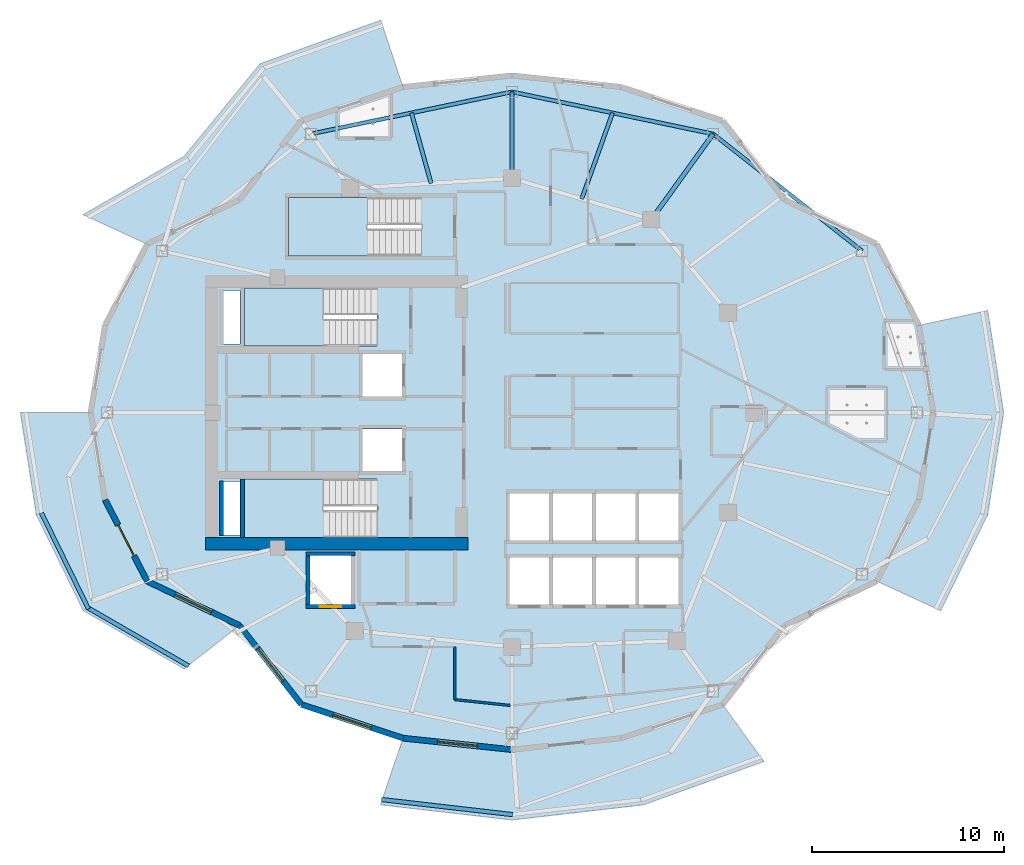
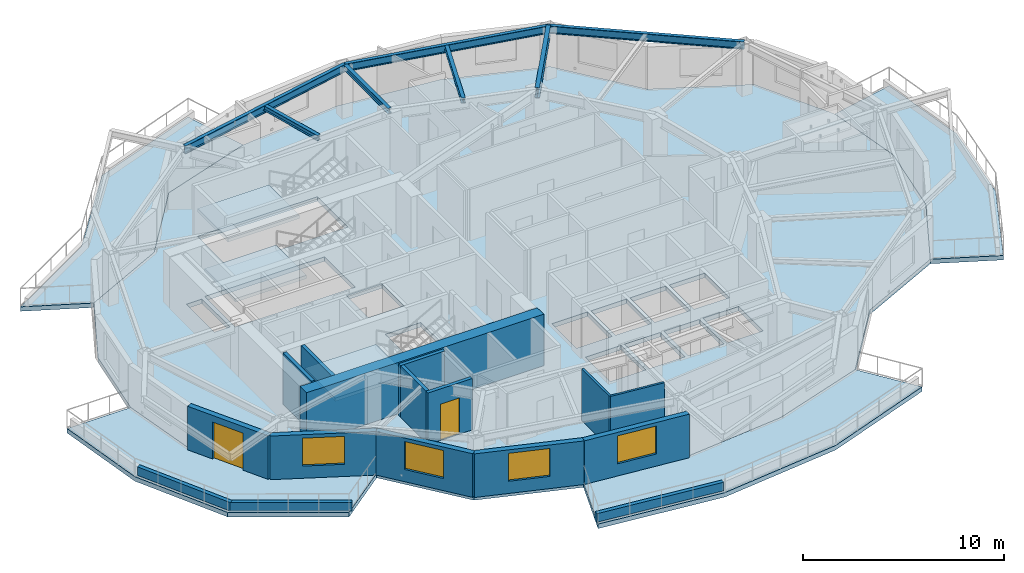
# One storey, part 2 of 14: 16 walls, 8 slabs, 7 beams, 4 windows, 2 doors, 6 openings, 3 elements without a shape of their own.
"""IFC4 building model written with IfcOpenShell, lengths in metres."""

from ifc_helpers import new_model, si_unit, direction, frame, frame_2d, origin, origin_2d, place, context, subcontext, project, spatial, polyline, rectangle, i_section, outline, extrude, material, layer, layer_set, material_profile, profile_set, type_object, element, fill, aggregate, save


model = new_model("IFC4")

# Units and contexts
model_context = context("Model", 3, precision=1e-05, world=origin(), true_north=direction((0.0, 1.0)))
body_context = subcontext(model_context, "Body", "Model", "MODEL_VIEW")
ifc_project = project(units=[si_unit("LENGTHUNIT", "METRE"), si_unit("AREAUNIT", "SQUARE_METRE"), si_unit("VOLUMEUNIT", "CUBIC_METRE"), si_unit("PLANEANGLEUNIT", "RADIAN"), si_unit("MASSUNIT", "GRAM", prefix="KILO")], contexts=[model_context])

# Site, building, storey
site_placement = place(None, origin())
site = spatial("IfcSite", under=ifc_project, at=site_placement, CompositionType="ELEMENT")
building_placement = place(site_placement, origin())
building = spatial("IfcBuilding", under=site, at=building_placement, Name="Kolvaren Gate Tower and Convention Centre", CompositionType="ELEMENT")
storey_placement = place(building_placement, frame((0.0, 0.0, 173.300048828125)))
storey = spatial("IfcBuildingStorey", under=building, at=storey_placement, Name="L45", CompositionType="ELEMENT", Elevation=173.300048828125)

# Beams
ifc_material_1 = material(Name="Structural steel ASTM A992 Grade 345 MPa", Category="steel")
ifc_material_profile_1 = material_profile(ifc_material_1, i_section(OverallWidth=0.22998046875, OverallDepth=0.616943359375, WebThickness=0.01318359375, FlangeThickness=0.022216796875, at=origin_2d()), Name="W610X140")
ifc_profile_set_1 = profile_set([ifc_material_profile_1], Name="Structural steel ASTM A992 Grade 345 MPa")
beam_type_1 = type_object("IfcBeamType", Name="STR-BM-W610X140", PredefinedType="BEAM", material=ifc_profile_set_1)
beam_1_placement = place(storey_placement, frame((37.381591796875, 37.054931640625, 2.821533203125), z_axis=(0.58520818289, 0.810883088169, 0.0), x_axis=(-0.810883088169, 0.58520818289, 0.0)))
element("IfcBeam", 1, at=beam_1_placement, inside=storey, type_object=beam_type_1, Name="Tower L45 Radial Floor Girder RB-03", PredefinedType="BEAM", context=body_context, shape_type="SweptSolid", body=[
    extrude(i_section(OverallWidth=0.22998046875, OverallDepth=0.616943359375, WebThickness=0.01318359375, FlangeThickness=0.022216796875, at=origin_2d()), origin(), (0.0, 0.0, 1.0), 5.493408203125),
])
ifc_material_profile_2 = material_profile(ifc_material_1, i_section(OverallWidth=0.205078125, OverallDepth=0.31005859375, WebThickness=0.009521484375, FlangeThickness=0.016357421875, at=origin_2d()), Name="W310X74")
ifc_profile_set_2 = profile_set([ifc_material_profile_2], Name="Structural steel ASTM A992 Grade 345 MPa")
beam_type_2 = type_object("IfcBeamType", Name="STR-JS-W310X74", PredefinedType="JOIST", material=ifc_profile_set_2)
beam_2_placement = place(storey_placement, frame((30.125, 39.199951171875, 2.974853515625), z_axis=(0.0, 1.0, 0.0), x_axis=(-1.0, 0.0, 0.0)))
element("IfcBeam", 2, at=beam_2_placement, inside=storey, type_object=beam_type_2, Name="Tower L45 Radial Floor Girder RB-04", PredefinedType="JOIST", context=body_context, shape_type="SweptSolid", body=[
    extrude(i_section(OverallWidth=0.205078125, OverallDepth=0.31005859375, WebThickness=0.009521484375, FlangeThickness=0.016357421875, at=origin_2d()), origin(), (0.0, 0.0, 1.0), 4.5),
])
beam_3_placement = place(storey_placement, frame((33.75341796875, 38.12744140625, 2.974853515625), z_axis=(0.33785426197, 0.941198436924, 0.0), x_axis=(-0.941198436924, 0.33785426197, 0.0)))
element("IfcBeam", 3, at=beam_3_placement, inside=storey, type_object=beam_type_2, Name="Tower L45 Secondary Composite Floor Joist J-03.1", PredefinedType="JOIST", context=body_context, shape_type="SweptSolid", body=[
    extrude(i_section(OverallWidth=0.205078125, OverallDepth=0.31005859375, WebThickness=0.009521484375, FlangeThickness=0.016357421875, at=origin_2d()), origin(), (0.0, 0.0, 1.0), 4.757080078125),
])
beam_4_placement = place(storey_placement, frame((25.91162109375, 38.938232421875, 2.974853515625), z_axis=(-0.26855678261, 0.963263855085, 0.0), x_axis=(-0.963263855085, -0.26855678261, 0.0)))
element("IfcBeam", 4, at=beam_4_placement, inside=storey, type_object=beam_type_2, Name="Tower L45 Secondary Composite Floor Joist J-04.1", PredefinedType="JOIST", context=body_context, shape_type="SweptSolid", body=[
    extrude(i_section(OverallWidth=0.205078125, OverallDepth=0.31005859375, WebThickness=0.009521484375, FlangeThickness=0.016357421875, at=origin_2d()), origin(), (0.0, 0.0, 1.0), 3.806396484375),
])
ifc_material_profile_3 = material_profile(ifc_material_1, i_section(OverallWidth=0.194091796875, OverallDepth=0.468994140625, WebThickness=0.0126953125, FlangeThickness=0.0205078125, at=origin_2d()), Name="W460X106")
ifc_profile_set_3 = profile_set([ifc_material_profile_3], Name="Structural steel ASTM A992 Grade 345 MPa")
beam_type_3 = type_object("IfcBeamType", Name="STR-SP-W460X106", PredefinedType="SPANDREL", material=ifc_profile_set_3)
beam_5_placement = place(storey_placement, frame((48.351806640625, 35.418701171875, 2.8955078125), z_axis=(-0.786450621777, 0.617653154697, 0.0), x_axis=(-0.617653154697, -0.786450621777, 0.0)))
element("IfcBeam", 5, at=beam_5_placement, inside=storey, type_object=beam_type_3, Name="Tower L45 Perimeter Spandrel Beam SP-02", PredefinedType="SPANDREL", context=body_context, shape_type="SweptSolid", body=[
    extrude(i_section(OverallWidth=0.194091796875, OverallDepth=0.468994140625, WebThickness=0.0126953125, FlangeThickness=0.0205078125, at=origin_2d()), origin(), (0.0, 0.0, 1.0), 9.861328125),
])
beam_6_placement = place(storey_placement, frame((40.596435546875, 41.509521484375, 2.8955078125), z_axis=(-0.978814350133, 0.204749769168, 0.0), x_axis=(-0.204749769168, -0.978814350133, 0.0)))
element("IfcBeam", 6, at=beam_6_placement, inside=storey, type_object=beam_type_3, Name="Tower L45 Perimeter Spandrel Beam SP-03", PredefinedType="SPANDREL", context=body_context, shape_type="SweptSolid", body=[
    extrude(i_section(OverallWidth=0.194091796875, OverallDepth=0.468994140625, WebThickness=0.0126953125, FlangeThickness=0.0205078125, at=origin_2d()), origin(), (0.0, 0.0, 1.0), 10.697998046875),
])
beam_7_placement = place(storey_placement, frame((30.125, 43.699951171875, 2.8955078125), z_axis=(-0.978813393389, -0.204754342865, 0.0), x_axis=(0.204754342865, -0.978813393389, 0.0)))
element("IfcBeam", 7, at=beam_7_placement, inside=storey, type_object=beam_type_3, Name="Tower L45 Perimeter Spandrel Beam SP-04", PredefinedType="SPANDREL", context=body_context, shape_type="SweptSolid", body=[
    extrude(i_section(OverallWidth=0.194091796875, OverallDepth=0.468994140625, WebThickness=0.0126953125, FlangeThickness=0.0205078125, at=origin_2d()), origin(), (0.0, 0.0, 1.0), 10.69775390625),
])

# Slabs
ifc_material_2 = material(Name="Concrete C50/60", Category="concrete")
ifc_layer_1 = layer(ifc_material_2, 0.27001953125)
ifc_layer_set_1 = layer_set([ifc_layer_1], Name="Concrete C50/60")
slab_type_1 = type_object("IfcSlabType", Name="STR-SL-BALC-270", PredefinedType="FLOOR", material=ifc_layer_set_1)
slab_1_placement = place(storey_placement, frame((0.0, 0.0, -0.27001953125)))
element("IfcSlab", 8, at=slab_1_placement, inside=storey, type_object=slab_type_1, Name="Tower L45 Planted Balcony Terrace Slab 1 (North)", PredefinedType="FLOOR", context=body_context, shape_type="SweptSolid", body=[
    extrude(outline(polyline([(24.447265625, 43.951904296875), (19.15625, 42.19873046875), (15.9365234375, 38.0859375), (11.126708984375, 35.77490234375), (7.803955078125, 37.309814453125), (13.052490234375, 40.33935546875), (17.014404296875, 45.16650390625), (23.284912109375, 47.422607421875), (24.447265625, 43.951904296875)])), origin(), (0.0, 0.0, 1.0), 0.27001953125),
])
slab_2_placement = place(storey_placement, frame((0.0, 0.0, -0.27001953125)))
element("IfcSlab", 9, at=slab_2_placement, inside=storey, type_object=slab_type_1, Name="Tower L45 Planted Balcony Terrace Slab 2 (West)", PredefinedType="FLOOR", context=body_context, shape_type="SweptSolid", body=[
    extrude(outline(polyline([(8.1875, 27.0), (8.93505859375, 22.457763671875), (11.126708984375, 18.22509765625), (15.9365234375, 15.9140625), (13.052490234375, 13.66064453125), (7.803955078125, 16.690185546875), (5.356201171875, 21.690673828125), (4.527587890625, 27.0), (8.1875, 27.0)])), origin(), (0.0, 0.0, 1.0), 0.27001953125),
])
slab_3_placement = place(storey_placement, frame((0.0, 0.0, -0.27001953125)))
element("IfcSlab", 10, at=slab_3_placement, inside=storey, type_object=slab_type_1, Name="Tower L45 Planted Balcony Terrace Slab 3 (South)", PredefinedType="FLOOR", context=body_context, shape_type="SweptSolid", body=[
    extrude(outline(polyline([(24.447265625, 10.048095703125), (30.125, 9.449951171875), (35.802734375, 10.048095703125), (41.09375, 11.80126953125), (43.235595703125, 8.83349609375), (36.965087890625, 6.577392578125), (30.125, 5.7900390625), (23.284912109375, 6.577392578125), (24.447265625, 10.048095703125)])), origin(), (0.0, 0.0, 1.0), 0.27001953125),
])
slab_4_placement = place(storey_placement, frame((0.0, 0.0, -0.27001953125)))
element("IfcSlab", 11, at=slab_4_placement, inside=storey, type_object=slab_type_1, Name="Tower L45 Planted Balcony Terrace Slab 4 (East)", PredefinedType="FLOOR", context=body_context, shape_type="SweptSolid", body=[
    extrude(outline(polyline([(49.123291015625, 18.22509765625), (51.31494140625, 22.457763671875), (52.0625, 27.0), (51.31494140625, 31.542236328125), (54.893798828125, 32.309326171875), (55.722412109375, 27.0), (54.893798828125, 21.690673828125), (52.446044921875, 16.690185546875), (49.123291015625, 18.22509765625)])), origin(), (0.0, 0.0, 1.0), 0.27001953125),
])
ifc_material_3 = material(Name="Concrete C40/50", Category="concrete")
ifc_layer_2 = layer(ifc_material_3, 0.27001953125)
ifc_layer_set_2 = layer_set([ifc_layer_2], Name="Concrete C40/50")
slab_type_2 = type_object("IfcSlabType", Name="STR-SL-FLR-270", PredefinedType="FLOOR", material=ifc_layer_set_2)
slab_5_placement = place(storey_placement, frame((0.0, 0.0, -0.27001953125)))
element("IfcSlab", 12, at=slab_5_placement, inside=storey, type_object=slab_type_2, Name="Tower L45 Structural Floor Slab", PredefinedType="FLOOR", context=body_context, shape_type="SweptSolid", body=[
    extrude(outline(polyline([(52.0625, 27.0), (51.31494140625, 31.542236328125), (49.123291015625, 35.77490234375), (44.3134765625, 38.0859375), (41.09375, 42.19873046875), (35.802734375, 43.951904296875), (30.125, 44.550048828125), (24.447265625, 43.951904296875), (19.15625, 42.19873046875), (15.9365234375, 38.0859375), (11.126708984375, 35.77490234375), (8.93505859375, 31.542236328125), (8.1875, 27.0), (8.93505859375, 22.457763671875), (11.126708984375, 18.22509765625), (15.9365234375, 15.9140625), (19.15625, 11.80126953125), (24.447265625, 10.048095703125), (30.125, 9.449951171875), (35.802734375, 10.048095703125), (41.09375, 11.80126953125), (44.3134765625, 15.9140625), (49.123291015625, 18.22509765625), (51.31494140625, 22.457763671875), (52.0625, 27.0)]), holes=[polyline([(36.75, 17.0), (36.75, 19.449951171875), (38.800048828125, 19.449951171875), (38.800048828125, 17.0), (36.75, 17.0)]), polyline([(36.75, 20.35009765625), (36.75, 22.800048828125), (38.800048828125, 22.800048828125), (38.800048828125, 20.35009765625), (36.75, 20.35009765625)]), polyline([(34.5, 17.0), (34.5, 19.449951171875), (36.550048828125, 19.449951171875), (36.550048828125, 17.0), (34.5, 17.0)]), polyline([(34.5, 20.35009765625), (34.5, 22.800048828125), (36.550048828125, 22.800048828125), (36.550048828125, 20.35009765625), (34.5, 20.35009765625)]), polyline([(32.25, 17.0), (32.25, 19.449951171875), (34.300048828125, 19.449951171875), (34.300048828125, 17.0), (32.25, 17.0)]), polyline([(32.25, 20.35009765625), (32.25, 22.800048828125), (34.300048828125, 22.800048828125), (34.300048828125, 20.35009765625), (32.25, 20.35009765625)]), polyline([(30.0, 17.0), (30.0, 19.449951171875), (32.050048828125, 19.449951171875), (32.050048828125, 17.0), (30.0, 17.0)]), polyline([(30.0, 20.35009765625), (30.0, 22.800048828125), (32.050048828125, 22.800048828125), (32.050048828125, 20.35009765625), (30.0, 20.35009765625)]), polyline([(25.39990234375, 38.199951171875), (25.39990234375, 35.159912109375), (18.5, 35.159912109375), (18.5, 38.199951171875), (25.39990234375, 38.199951171875)]), polyline([(22.35009765625, 23.9599609375), (22.35009765625, 26.159912109375), (24.39990234375, 26.159912109375), (24.39990234375, 23.9599609375), (22.35009765625, 23.9599609375)]), polyline([(22.35009765625, 27.840087890625), (22.35009765625, 30.0400390625), (24.39990234375, 30.0400390625), (24.39990234375, 27.840087890625), (22.35009765625, 27.840087890625)]), polyline([(23.10009765625, 23.5400390625), (23.10009765625, 20.5), (16.199951171875, 20.5), (16.199951171875, 23.5400390625), (23.10009765625, 23.5400390625)]), polyline([(23.10009765625, 33.5), (23.10009765625, 30.4599609375), (16.199951171875, 30.4599609375), (16.199951171875, 33.5), (23.10009765625, 33.5)]), polyline([(19.60009765625, 17.0), (19.60009765625, 19.550048828125), (21.75, 19.550048828125), (21.75, 17.0), (19.60009765625, 17.0)]), polyline([(15.080078125, 20.6298828125), (15.080078125, 23.419921875), (15.969970703125, 23.419921875), (15.969970703125, 20.6298828125), (15.080078125, 20.6298828125)]), polyline([(15.080078125, 30.580078125), (15.080078125, 33.3701171875), (15.969970703125, 33.3701171875), (15.969970703125, 30.580078125), (15.080078125, 30.580078125)])]), origin(), (0.0, 0.0, 1.0), 0.27001953125),
])

# Stair, slab
stair_type = type_object("IfcStairType", Name="STR-STAIR-CORE", PredefinedType="HALF_TURN_STAIR", material=ifc_material_2)
stair_1_placement = place(storey_placement, origin())
stair_1 = element("IfcStair", 13, at=stair_1_placement, inside=storey, type_object=stair_type, Name="L45 Tower North Exit Stair ST-T1", PredefinedType="HALF_TURN_STAIR")
ifc_layer_3 = layer(ifc_material_2, 0.199951171875)
ifc_layer_set_3 = layer_set([ifc_layer_3], Name="Concrete C50/60")
slab_type_3 = type_object("IfcSlabType", Name="STR-SL-LAND-200", PredefinedType="LANDING", material=ifc_layer_set_3)
slab_6_placement = place(storey_placement, frame((0.0, 0.0, 1.5)))
slab_6 = element("IfcSlab", 14, at=slab_6_placement, type_object=slab_type_3, Name="ST-T1 landing 1", PredefinedType="LANDING", context=body_context, shape_type="SweptSolid", body=[
    extrude(outline(polyline([(20.31005859375, 33.5), (16.199951171875, 33.5), (16.199951171875, 30.4599609375), (20.31005859375, 30.4599609375), (20.31005859375, 33.5)])), origin(), (0.0, 0.0, 1.0), 0.199951171875),
])
aggregate(stair_1, [slab_6])

stair_2_placement = place(storey_placement, origin())
stair_2 = element("IfcStair", 15, at=stair_2_placement, inside=storey, type_object=stair_type, Name="L45 Tower South Exit Stair ST-T2", PredefinedType="HALF_TURN_STAIR")
slab_7_placement = place(storey_placement, frame((0.0, 0.0, 1.5)))
slab_7 = element("IfcSlab", 16, at=slab_7_placement, type_object=slab_type_3, Name="ST-T2 landing 1", PredefinedType="LANDING", context=body_context, shape_type="SweptSolid", body=[
    extrude(outline(polyline([(20.31005859375, 23.5400390625), (16.199951171875, 23.5400390625), (16.199951171875, 20.5), (20.31005859375, 20.5), (20.31005859375, 23.5400390625)])), origin(), (0.0, 0.0, 1.0), 0.199951171875),
])
aggregate(stair_2, [slab_7])

stair_3_placement = place(storey_placement, origin())
stair_3 = element("IfcStair", 17, at=stair_3_placement, inside=storey, type_object=stair_type, Name="L45 Tower Mid-Zone Exit Stair ST-T3", PredefinedType="HALF_TURN_STAIR")
slab_8_placement = place(storey_placement, frame((0.0, 0.0, 1.5)))
slab_8 = element("IfcSlab", 18, at=slab_8_placement, type_object=slab_type_3, Name="ST-T3 landing 1", PredefinedType="LANDING", context=body_context, shape_type="SweptSolid", body=[
    extrude(outline(polyline([(22.610107421875, 38.199951171875), (18.5, 38.199951171875), (18.5, 35.159912109375), (22.610107421875, 35.159912109375), (22.610107421875, 38.199951171875)])), origin(), (0.0, 0.0, 1.0), 0.199951171875),
])
aggregate(stair_3, [slab_8])

# Walls
ifc_material_4 = material(Name="Fire-Rated Acoustic Gypsum Stud Partition", Category="gypsum")
ifc_layer_4 = layer(ifc_material_4, 0.1201171875)
ifc_layer_set_4 = layer_set([ifc_layer_4], Name="Fire-Rated Acoustic Gypsum Stud Partition")
wall_type_1 = type_object("IfcWallType", Name="ARCH-WL-PART-120", PredefinedType="PARTITIONING", material=ifc_layer_set_4)
wall_1_placement = place(storey_placement, frame((27.14990234375, 12.055908203125, 0.0), z_axis=(0.0, 0.0, 1.0), x_axis=(0.0, 1.0, 0.0)))
element("IfcWall", 19, at=wall_1_placement, inside=storey, type_object=wall_type_1, Name="Interior Partition WL-L45-INT-014", PredefinedType="PARTITIONING", context=body_context, shape_type="SweptSolid", body=[
    extrude(rectangle(XDim=2.744140625, YDim=0.1201171875, at=frame_2d((1.3720703125, 0.0))), origin(), (0.0, 0.0, 1.0), 3.1298828125),
])
wall_2_placement = place(storey_placement, frame((27.14990234375, 12.055908203125, 0.0), z_axis=(0.0, 0.0, 1.0), x_axis=(0.994501330468, -0.104723940422, 0.0)))
element("IfcWall", 20, at=wall_2_placement, inside=storey, type_object=wall_type_1, Name="Interior Partition WL-L45-INT-033", PredefinedType="PARTITIONING", context=body_context, shape_type="SweptSolid", body=[
    extrude(rectangle(XDim=2.921142578125, YDim=0.1201171875, at=frame_2d((1.46044921875, 0.0))), origin(), (0.0, 0.0, 1.0), 3.1298828125),
])
ifc_material_5 = material(Name="Piedmont Cream Honed Limestone Cladding", Category="masonry")
ifc_layer_5 = layer(ifc_material_5, 0.219970703125)
ifc_layer_set_5 = layer_set([ifc_layer_5], Name="Piedmont Cream Honed Limestone Cladding")
wall_type_2 = type_object("IfcWallType", Name="ARCH-WL-PLANTER-220", PredefinedType="PARAPET", material=ifc_layer_set_5)
wall_3_placement = place(storey_placement, frame((5.6220703125, 21.77880859375, 0.0), z_axis=(0.0, 0.0, 1.0), x_axis=(0.439637174641, -0.898175458735, 0.0)))
element("IfcWall", 21, at=wall_3_placement, inside=storey, type_object=wall_type_2, Name="Vertical-Forest Balcony Stone Planter Kerb PK-L45-2.2", PredefinedType="PARAPET", context=body_context, shape_type="SweptSolid", body=[
    extrude(rectangle(XDim=5.567138671875, YDim=0.219970703125, at=frame_2d((2.78369140625, 0.0))), origin(), (0.0, 0.0, 1.0), 0.52001953125),
])
wall_4_placement = place(storey_placement, frame((8.0439453125, 16.83447265625, 0.0), z_axis=(0.0, 0.0, 1.0), x_axis=(0.866058128659, -0.499943314571, 0.0)))
element("IfcWall", 22, at=wall_4_placement, inside=storey, type_object=wall_type_2, Name="Vertical-Forest Balcony Stone Planter Kerb PK-L45-2.3", PredefinedType="PARAPET", context=body_context, shape_type="SweptSolid", body=[
    extrude(rectangle(XDim=6.060302734375, YDim=0.219970703125, at=frame_2d((3.0302734375, 0.0))), origin(), (0.0, 0.0, 1.0), 0.52001953125),
])
wall_5_placement = place(storey_placement, frame((23.330078125, 6.853759765625, 0.0), z_axis=(0.0, 0.0, 1.0), x_axis=(0.993440576506, -0.114349555972, 0.0)))
element("IfcWall", 23, at=wall_5_placement, inside=storey, type_object=wall_type_2, Name="Vertical-Forest Balcony Stone Planter Kerb PK-L45-3.1", PredefinedType="PARAPET", context=body_context, shape_type="SweptSolid", body=[
    extrude(rectangle(XDim=6.885498046875, YDim=0.219970703125, at=frame_2d((3.44287109375, 0.0))), origin(), (0.0, 0.0, 1.0), 0.52001953125),
])
ifc_material_6 = material(Name="Autoclaved Aerated Masonry Blockwork Class 4 (4.0 MPa)", Category="masonry")
ifc_layer_6 = layer(ifc_material_6, 0.199951171875)
ifc_layer_set_6 = layer_set([ifc_layer_6], Name="Autoclaved Aerated Masonry Blockwork Class 4 (4.0 MPa)")
wall_type_3 = type_object("IfcWallType", Name="ARCH-WL-SHAFT-200", PredefinedType="SOLIDWALL", material=ifc_layer_set_6)
wall_6_placement = place(storey_placement, frame((19.39990234375, 19.64990234375, 0.0), z_axis=(0.0, 0.0, 1.0), x_axis=(1.0, 0.0, 0.0)))
element("IfcWall", 24, at=wall_6_placement, inside=storey, type_object=wall_type_3, Name="Elevator SV-01 L45 Fire Shaft Wall N", PredefinedType="SOLIDWALL", context=body_context, shape_type="SweptSolid", body=[
    extrude(rectangle(XDim=2.550048828125, YDim=0.199951171875, at=frame_2d((1.27490234375, 0.0))), origin(), (0.0, 0.0, 1.0), 3.1298828125),
])

# Wall, opening, door
wall_7_placement = place(storey_placement, frame((19.39990234375, 16.89990234375, 0.0), z_axis=(0.0, 0.0, 1.0), x_axis=(1.0, 0.0, 0.0)))
wall_7 = element("IfcWall", 25, at=wall_7_placement, inside=storey, type_object=wall_type_3, Name="Elevator SV-01 L45 Fire Shaft Wall S", PredefinedType="SOLIDWALL", context=body_context, shape_type="SweptSolid", body=[
    extrude(rectangle(XDim=2.550048828125, YDim=0.199951171875, at=frame_2d((1.27490234375, 0.0))), origin(), (0.0, 0.0, 1.0), 3.1298828125),
])
opening_1_placement = place(wall_7_placement, frame((0.72509765625, 0.0, 0.0)))
opening_1 = element("IfcOpeningElement", 26, at=opening_1_placement, cuts=wall_7, Name="Opening LD", PredefinedType="OPENING", context=body_context, shape_type="SweptSolid", body=[
    extrude(rectangle(XDim=1.10009765625, YDim=2.199951171875, at=frame_2d((0.550048828125, 1.10009765625))), frame((0.0, 0.10986328125, 0.0), z_axis=(0.0, -1.0, 0.0), x_axis=(1.0, 0.0, 0.0)), (0.0, 0.0, 1.0), 0.219970703125),
])
ifc_material_7 = material(Name="Brushed Stainless Steel Grade 316L", Category="steel")
door_type_1 = type_object("IfcDoorType", Name="ARCH-DR-LIFT-1100", OperationType="SLIDING_TO_LEFT", PredefinedType="DOOR", material=ifc_material_7)
door_1_placement = place(opening_1_placement, origin())
door_1 = element("IfcDoor", 27, at=door_1_placement, inside=storey, type_object=door_type_1, Name="Elevator SV-01 L45 Sliding Landing Door", OperationType="SLIDING_TO_LEFT", OverallHeight=2.199951171875, OverallWidth=1.10009765625, PredefinedType="DOOR", context=body_context, shape_type="SweptSolid", body=[
    extrude(rectangle(XDim=1.10009765625, YDim=2.199951171875, at=frame_2d((0.550048828125, 1.10009765625))), frame((0.0, 0.02490234375, 0.0), z_axis=(0.0, -1.0, 0.0), x_axis=(1.0, 0.0, 0.0)), (0.0, 0.0, 1.0), 0.050048828125),
])
fill(opening_1, door_1)

# Walls
wall_8_placement = place(storey_placement, frame((19.5, 17.010009765625, 0.0), z_axis=(0.0, 0.0, 1.0), x_axis=(0.0, 1.0, 0.0)))
element("IfcWall", 28, at=wall_8_placement, inside=storey, type_object=wall_type_3, Name="Elevator SV-01 L45 Fire Shaft Wall W", PredefinedType="SOLIDWALL", context=body_context, shape_type="SweptSolid", body=[
    extrude(rectangle(XDim=2.530029296875, YDim=0.199951171875, at=frame_2d((1.26513671875, 0.0))), origin(), (0.0, 0.0, 1.0), 3.1298828125),
])
wall_9_placement = place(storey_placement, frame((14.989990234375, 20.60009765625, 0.0), z_axis=(0.0, 0.0, 1.0), x_axis=(0.0, 1.0, 0.0)))
element("IfcWall", 29, at=wall_9_placement, inside=storey, type_object=wall_type_3, Name="Vertical Shaft MPR L45 EI-120 Enclosure Wall W", PredefinedType="SOLIDWALL", context=body_context, shape_type="SweptSolid", body=[
    extrude(rectangle(XDim=2.849853515625, YDim=0.199951171875, at=frame_2d((1.4248046875, 0.0))), origin(), (0.0, 0.0, 1.0), 3.1298828125),
])

# Wall, opening, door
ifc_layer_7 = layer(ifc_material_5, 0.300048828125)
ifc_layer_set_7 = layer_set([ifc_layer_7], Name="Piedmont Cream Honed Limestone Cladding")
wall_type_4 = type_object("IfcWallType", Name="ARCH-WL-STONE-300", PredefinedType="SOLIDWALL", material=ifc_layer_set_7)
wall_10_placement = place(storey_placement, frame((8.93505859375, 22.457763671875, 0.0), z_axis=(0.0, 0.0, 1.0), x_axis=(0.459810251451, -0.888017191647, 0.0)))
wall_10 = element("IfcWall", 30, at=wall_10_placement, inside=storey, type_object=wall_type_4, Name="Tower L45 Honed Stone Spandrel Wall EW-13", PredefinedType="SOLIDWALL", context=body_context, shape_type="SweptSolid", body=[
    extrude(rectangle(XDim=4.766357421875, YDim=0.300048828125, at=frame_2d((2.38330078125, 0.0))), origin(), (0.0, 0.0, 1.0), 2.65283203125),
])
opening_2_placement = place(wall_10_placement, frame((1.48291015625, 0.0, 0.0)))
opening_2 = element("IfcOpeningElement", 31, at=opening_2_placement, cuts=wall_10, Name="Opening DB-01", PredefinedType="OPENING", context=body_context, shape_type="SweptSolid", body=[
    extrude(rectangle(XDim=1.800048828125, YDim=2.25, at=frame_2d((0.89990234375, 1.125))), frame((0.0, 0.159912109375, 0.0), z_axis=(0.0, -1.0, 0.0), x_axis=(1.0, 0.0, 0.0)), (0.0, 0.0, 1.0), 0.320068359375),
])
ifc_material_8 = material(Name="Anodized Architectural Aluminium Alloy 6063-T6", Category="aluminium")
door_type_2 = type_object("IfcDoorType", Name="ARCH-DR-BALC-1800", OperationType="SLIDING_TO_LEFT", PredefinedType="DOOR", material=ifc_material_8)
door_2_placement = place(opening_2_placement, frame((1.800048828125, 0.0, 0.0), z_axis=(0.0, 0.0, 1.0), x_axis=(-1.0, 0.0, 0.0)))
door_2 = element("IfcDoor", 32, at=door_2_placement, inside=storey, type_object=door_type_2, Name="Planted Sky Terrace Access Door DB-L45-13", OperationType="SLIDING_TO_LEFT", OverallHeight=2.25, OverallWidth=1.800048828125, PredefinedType="DOOR", context=body_context, shape_type="SweptSolid", body=[
    extrude(rectangle(XDim=1.800048828125, YDim=2.25, at=frame_2d((0.89990234375, 1.125))), frame((0.0, 0.02490234375, 0.0), z_axis=(0.0, -1.0, 0.0), x_axis=(1.0, 0.0, 0.0)), (0.0, 0.0, 1.0), 0.050048828125),
])
fill(opening_2, door_2)

# Wall, opening, window
wall_11_placement = place(storey_placement, frame((11.126708984375, 18.22509765625, 0.0), z_axis=(0.0, 0.0, 1.0), x_axis=(0.901353070301, -0.433085029363, 0.0)))
wall_11 = element("IfcWall", 33, at=wall_11_placement, inside=storey, type_object=wall_type_4, Name="Tower L45 Honed Stone Spandrel Wall EW-14", PredefinedType="SOLIDWALL", context=body_context, shape_type="SweptSolid", body=[
    extrude(rectangle(XDim=5.336181640625, YDim=0.300048828125, at=frame_2d((2.66796875, 0.0))), origin(), (0.0, 0.0, 1.0), 2.65283203125),
])
opening_3_placement = place(wall_11_placement, frame((1.617919921875, 0.0, 0.739990234375)))
opening_3 = element("IfcOpeningElement", 34, at=opening_3_placement, cuts=wall_11, Name="Opening W-02", PredefinedType="OPENING", context=body_context, shape_type="SweptSolid", body=[
    extrude(rectangle(XDim=2.10009765625, YDim=1.699951171875, at=frame_2d((1.050048828125, 0.85009765625))), frame((0.0, 0.159912109375, 0.0), z_axis=(0.0, -1.0, 0.0), x_axis=(1.0, 0.0, 0.0)), (0.0, 0.0, 1.0), 0.320068359375),
])
ifc_material_9 = material(Name="Low-E Triple Insulated Glazing Unit 44 mm", Category="glass")
window_type = type_object("IfcWindowType", Name="ARCH-WN-HTL-2100", PartitioningType="SINGLE_PANEL", PredefinedType="WINDOW", material=ifc_material_9)
window_1_placement = place(opening_3_placement, origin())
window_1 = element("IfcWindow", 35, at=window_1_placement, inside=storey, type_object=window_type, Name="Tower L45 Punched Stone Facade Window W-14", OverallHeight=1.699951171875, OverallWidth=2.10009765625, PartitioningType="SINGLE_PANEL", PredefinedType="WINDOW", context=body_context, shape_type="SweptSolid", body=[
    extrude(rectangle(XDim=2.10009765625, YDim=1.699951171875, at=frame_2d((1.050048828125, 0.85009765625))), frame((0.0, 0.030029296875, 0.0), z_axis=(0.0, -1.0, 0.0), x_axis=(1.0, 0.0, 0.0)), (0.0, 0.0, 1.0), 0.06005859375),
])
fill(opening_3, window_1)

wall_12_placement = place(storey_placement, frame((15.9365234375, 15.9140625, 0.0), z_axis=(0.0, 0.0, 1.0), x_axis=(0.616429245738, -0.787410302828, 0.0)))
wall_12 = element("IfcWall", 36, at=wall_12_placement, inside=storey, type_object=wall_type_4, Name="Tower L45 Honed Stone Spandrel Wall EW-15", PredefinedType="SOLIDWALL", context=body_context, shape_type="SweptSolid", body=[
    extrude(rectangle(XDim=5.22314453125, YDim=0.300048828125, at=frame_2d((2.611572265625, 0.0))), origin(), (0.0, 0.0, 1.0), 2.65283203125),
])
opening_4_placement = place(wall_12_placement, frame((1.56201171875, 0.0, 0.739990234375)))
opening_4 = element("IfcOpeningElement", 37, at=opening_4_placement, cuts=wall_12, Name="Opening W-02", PredefinedType="OPENING", context=body_context, shape_type="SweptSolid", body=[
    extrude(rectangle(XDim=2.10009765625, YDim=1.699951171875, at=frame_2d((1.050048828125, 0.85009765625))), frame((0.0, 0.159912109375, 0.0), z_axis=(0.0, -1.0, 0.0), x_axis=(1.0, 0.0, 0.0)), (0.0, 0.0, 1.0), 0.320068359375),
])
window_2_placement = place(opening_4_placement, origin())
window_2 = element("IfcWindow", 38, at=window_2_placement, inside=storey, type_object=window_type, Name="Tower L45 Punched Stone Facade Window W-15", OverallHeight=1.699951171875, OverallWidth=2.10009765625, PartitioningType="SINGLE_PANEL", PredefinedType="WINDOW", context=body_context, shape_type="SweptSolid", body=[
    extrude(rectangle(XDim=2.10009765625, YDim=1.699951171875, at=frame_2d((1.050048828125, 0.85009765625))), frame((0.0, 0.030029296875, 0.0), z_axis=(0.0, -1.0, 0.0), x_axis=(1.0, 0.0, 0.0)), (0.0, 0.0, 1.0), 0.06005859375),
])
fill(opening_4, window_2)

wall_13_placement = place(storey_placement, frame((19.15625, 11.80126953125, 0.0), z_axis=(0.0, 0.0, 1.0), x_axis=(0.949246811547, -0.314532177636, 0.0)))
wall_13 = element("IfcWall", 39, at=wall_13_placement, inside=storey, type_object=wall_type_4, Name="Tower L45 Honed Stone Spandrel Wall EW-16", PredefinedType="SOLIDWALL", context=body_context, shape_type="SweptSolid", body=[
    extrude(rectangle(XDim=5.573974609375, YDim=0.300048828125, at=frame_2d((2.787109375, 0.0))), origin(), (0.0, 0.0, 1.0), 2.65283203125),
])
opening_5_placement = place(wall_13_placement, frame((1.737060546875, 0.0, 0.739990234375)))
opening_5 = element("IfcOpeningElement", 40, at=opening_5_placement, cuts=wall_13, Name="Opening W-02", PredefinedType="OPENING", context=body_context, shape_type="SweptSolid", body=[
    extrude(rectangle(XDim=2.10009765625, YDim=1.699951171875, at=frame_2d((1.050048828125, 0.85009765625))), frame((0.0, 0.159912109375, 0.0), z_axis=(0.0, -1.0, 0.0), x_axis=(1.0, 0.0, 0.0)), (0.0, 0.0, 1.0), 0.320068359375),
])
window_3_placement = place(opening_5_placement, origin())
window_3 = element("IfcWindow", 41, at=window_3_placement, inside=storey, type_object=window_type, Name="Tower L45 Punched Stone Facade Window W-16", OverallHeight=1.699951171875, OverallWidth=2.10009765625, PartitioningType="SINGLE_PANEL", PredefinedType="WINDOW", context=body_context, shape_type="SweptSolid", body=[
    extrude(rectangle(XDim=2.10009765625, YDim=1.699951171875, at=frame_2d((1.050048828125, 0.85009765625))), frame((0.0, 0.030029296875, 0.0), z_axis=(0.0, -1.0, 0.0), x_axis=(1.0, 0.0, 0.0)), (0.0, 0.0, 1.0), 0.06005859375),
])
fill(opening_5, window_3)

wall_14_placement = place(storey_placement, frame((24.447265625, 10.048095703125, 0.0), z_axis=(0.0, 0.0, 1.0), x_axis=(0.994496545245, -0.104769372887, 0.0)))
wall_14 = element("IfcWall", 42, at=wall_14_placement, inside=storey, type_object=wall_type_4, Name="Tower L45 Honed Stone Spandrel Wall EW-17", PredefinedType="SOLIDWALL", context=body_context, shape_type="SweptSolid", body=[
    extrude(rectangle(XDim=5.709228515625, YDim=0.300048828125, at=frame_2d((2.8544921875, 0.0))), origin(), (0.0, 0.0, 1.0), 2.65283203125),
])
opening_6_placement = place(wall_14_placement, frame((1.804931640625, 0.0, 0.739990234375)))
opening_6 = element("IfcOpeningElement", 43, at=opening_6_placement, cuts=wall_14, Name="Opening W-02", PredefinedType="OPENING", context=body_context, shape_type="SweptSolid", body=[
    extrude(rectangle(XDim=2.10009765625, YDim=1.699951171875, at=frame_2d((1.050048828125, 0.85009765625))), frame((0.0, 0.159912109375, 0.0), z_axis=(0.0, -1.0, 0.0), x_axis=(1.0, 0.0, 0.0)), (0.0, 0.0, 1.0), 0.320068359375),
])
window_4_placement = place(opening_6_placement, origin())
window_4 = element("IfcWindow", 44, at=window_4_placement, inside=storey, type_object=window_type, Name="Tower L45 Punched Stone Facade Window W-17", OverallHeight=1.699951171875, OverallWidth=2.10009765625, PartitioningType="SINGLE_PANEL", PredefinedType="WINDOW", context=body_context, shape_type="SweptSolid", body=[
    extrude(rectangle(XDim=2.10009765625, YDim=1.699951171875, at=frame_2d((1.050048828125, 0.85009765625))), frame((0.0, 0.030029296875, 0.0), z_axis=(0.0, -1.0, 0.0), x_axis=(1.0, 0.0, 0.0)), (0.0, 0.0, 1.0), 0.06005859375),
])
fill(opening_6, window_4)

# Walls
ifc_material_10 = material(Name="Concrete C60/75", Category="concrete")
ifc_layer_8 = layer(ifc_material_10, 0.64990234375)
ifc_layer_set_8 = layer_set([ifc_layer_8], Name="Concrete C60/75")
wall_type_5 = type_object("IfcWallType", Name="STR-WL-CORE-650", PredefinedType="SHEAR", material=ifc_layer_set_8)
wall_15_placement = place(storey_placement, frame((14.175048828125, 20.175048828125, -0.27001953125), z_axis=(0.0, 0.0, 1.0), x_axis=(1.0, 0.0, 0.0)))
element("IfcWall", 45, at=wall_15_placement, inside=storey, type_object=wall_type_5, Name="Tower L45 Offset Core Shear Wall S", PredefinedType="SHEAR", context=body_context, shape_type="SweptSolid", body=[
    extrude(rectangle(XDim=13.64990234375, YDim=0.64990234375, at=frame_2d((6.824951171875, 0.0))), origin(), (0.0, 0.0, 1.0), 3.39990234375),
])
ifc_layer_9 = layer(ifc_material_2, 0.199951171875)
ifc_layer_set_9 = layer_set([ifc_layer_9], Name="Concrete C50/60")
wall_type_6 = type_object("IfcWallType", Name="STR-WL-SHAFT-200", PredefinedType="SHEAR", material=ifc_layer_set_9)
wall_16_placement = place(storey_placement, frame((16.10009765625, 20.501953125, -0.27001953125), z_axis=(0.0, 0.0, 1.0), x_axis=(0.0, 1.0, 0.0)))
element("IfcWall", 46, at=wall_16_placement, inside=storey, type_object=wall_type_6, Name="Tower South Exit Stair ST-T2 L45 Structural Shear Enclosure Wall FAR", PredefinedType="SHEAR", context=body_context, shape_type="SweptSolid", body=[
    extrude(rectangle(XDim=3.0361328125, YDim=0.199951171875, at=frame_2d((1.51806640625, 0.0))), origin(), (0.0, 0.0, 1.0), 3.39990234375),
])

save(model, "model.ifc")
